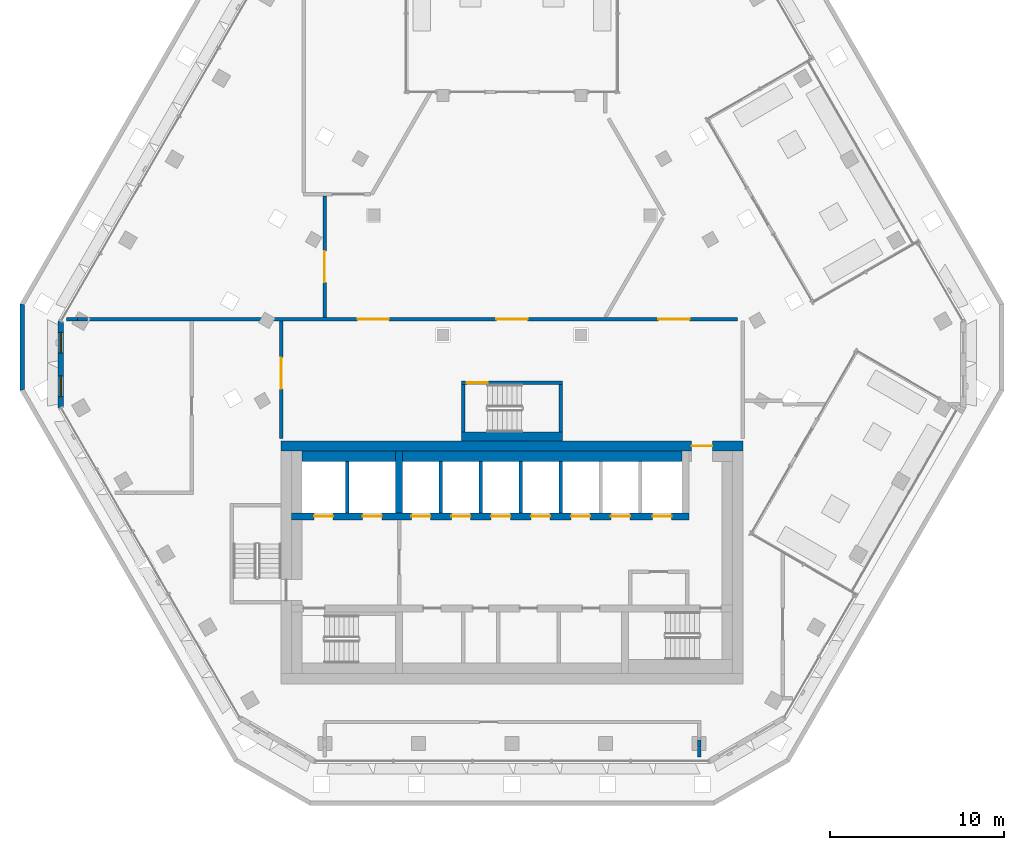
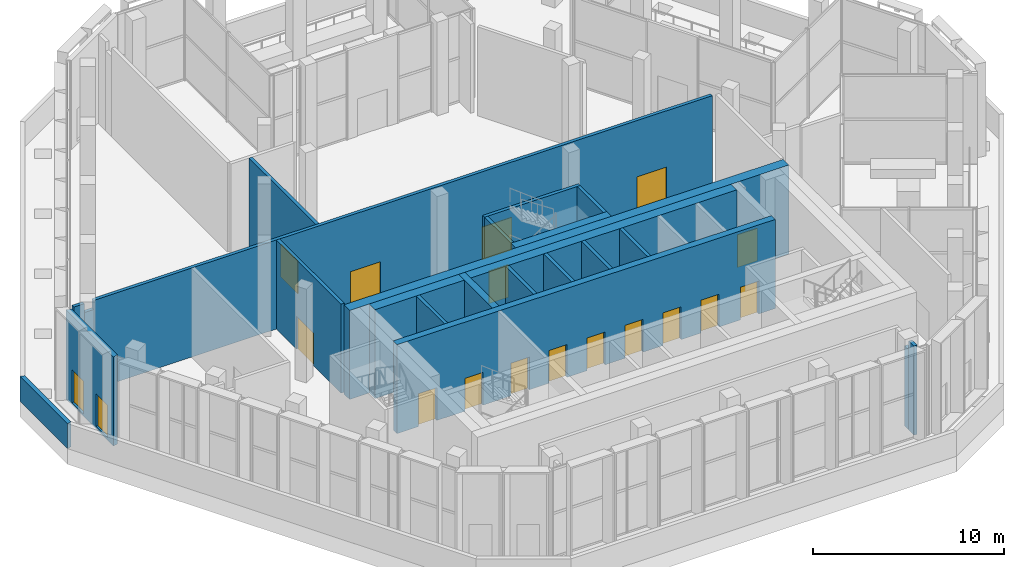
# One storey, part 9 of 23: 23 walls, 16 doors, 2 windows, 18 openings.
"""IFC4 building model written with IfcOpenShell, lengths in metres."""

from ifc_helpers import new_model, si_unit, direction, frame, frame_2d, origin, place, context, subcontext, project, spatial, polyline, rectangle, outline, extrude, material, layer, layer_set, type_object, element, fill, save


model = new_model("IFC4")

# Units and contexts
model_context = context("Model", 3, precision=1e-05, world=origin(), true_north=direction((0.0, 1.0)))
body_context = subcontext(model_context, "Body", "Model", "MODEL_VIEW")
ifc_project = project(units=[si_unit("LENGTHUNIT", "METRE"), si_unit("AREAUNIT", "SQUARE_METRE"), si_unit("VOLUMEUNIT", "CUBIC_METRE"), si_unit("PLANEANGLEUNIT", "RADIAN"), si_unit("MASSUNIT", "GRAM", prefix="KILO")], contexts=[model_context])

# Site, building, storey
site_placement = place(None, origin())
site = spatial("IfcSite", under=ifc_project, at=site_placement, CompositionType="ELEMENT")
building_placement = place(site_placement, origin())
building = spatial("IfcBuilding", under=site, at=building_placement, Name="Beryl Residences", CompositionType="ELEMENT")
storey_placement = place(building_placement, frame((0.0, 0.0, 157.199951171875)))
storey = spatial("IfcBuildingStorey", under=building, at=storey_placement, Name="L48", CompositionType="ELEMENT", Elevation=157.199951171875)

# Wall, openings, windows
ifc_material_1 = material(Name="Composite metal panel with mineral wool insulation")
ifc_layer_1 = layer(ifc_material_1, 0.300048828125)
ifc_layer_set_1 = layer_set([ifc_layer_1], Name="ES1 pale metal composite panel wall 300 mm")
wall_type_1 = type_object("IfcWallType", Name="ES1 pale metal composite panel wall 300 mm", PredefinedType="SOLIDWALL", material=ifc_layer_set_1)
wall_1_placement = place(storey_placement, frame((-26.00390625, 1.89990234375, 0.0), z_axis=(0.0, 0.0, 1.0), x_axis=(0.0, -1.0, 0.0)))
wall_1 = element("IfcWall", 1, at=wall_1_placement, inside=storey, type_object=wall_type_1, Name="ES1 external wall L48 NW-SW", PredefinedType="SOLIDWALL", context=body_context, shape_type="SweptSolid", body=[
    extrude(outline(polyline([(0.0, -0.14990234375), (5.0, -0.14990234375), (4.919677734375, 0.14990234375), (0.080322265625, 0.14990234375), (0.0, -0.14990234375)])), origin(), (0.0, 0.0, 1.0), 5.699951171875),
])
opening_1_placement = place(wall_1_placement, frame((0.64990234375, 0.0, 0.14990234375)))
opening_1 = element("IfcOpeningElement", 2, at=opening_1_placement, cuts=wall_1, Name="Opening W2", PredefinedType="OPENING", context=body_context, shape_type="SweptSolid", body=[
    extrude(rectangle(XDim=1.199951171875, YDim=2.10009765625, at=frame_2d((0.60009765625, 1.050048828125))), frame((0.0, 0.159912109375, 0.0), z_axis=(0.0, -1.0, 0.0), x_axis=(1.0, 0.0, 0.0)), (0.0, 0.0, 1.0), 0.320068359375),
])
opening_2_placement = place(wall_1_placement, frame((3.14990234375, 0.0, 0.14990234375)))
opening_2 = element("IfcOpeningElement", 3, at=opening_2_placement, cuts=wall_1, Name="Opening W2", PredefinedType="OPENING", context=body_context, shape_type="SweptSolid", body=[
    extrude(rectangle(XDim=1.199951171875, YDim=2.10009765625, at=frame_2d((0.60009765625, 1.050048828125))), frame((0.0, 0.159912109375, 0.0), z_axis=(0.0, -1.0, 0.0), x_axis=(1.0, 0.0, 0.0)), (0.0, 0.0, 1.0), 0.320068359375),
])
ifc_material_2 = material(Name="Aluminium and clear glass", Category="aluminium")
window_type = type_object("IfcWindowType", Name="W2 chamfer window 1200 x 2100 mm", PartitioningType="SINGLE_PANEL", PredefinedType="WINDOW", material=ifc_material_2)
window_1_placement = place(opening_1_placement, origin())
window_1 = element("IfcWindow", 4, at=window_1_placement, inside=storey, type_object=window_type, Name="W2 window L48 NW-SW 1", OverallHeight=2.10009765625, OverallWidth=1.199951171875, PartitioningType="SINGLE_PANEL", PredefinedType="WINDOW", context=body_context, shape_type="SweptSolid", body=[
    extrude(rectangle(XDim=1.199951171875, YDim=2.10009765625, at=frame_2d((0.60009765625, 1.050048828125))), frame((0.0, 0.030029296875, 0.0), z_axis=(0.0, -1.0, 0.0), x_axis=(1.0, 0.0, 0.0)), (0.0, 0.0, 1.0), 0.06005859375),
])
fill(opening_1, window_1)
window_2_placement = place(opening_2_placement, origin())
window_2 = element("IfcWindow", 5, at=window_2_placement, inside=storey, type_object=window_type, Name="W2 window L48 NW-SW 2", OverallHeight=2.10009765625, OverallWidth=1.199951171875, PartitioningType="SINGLE_PANEL", PredefinedType="WINDOW", context=body_context, shape_type="SweptSolid", body=[
    extrude(rectangle(XDim=1.199951171875, YDim=2.10009765625, at=frame_2d((0.60009765625, 1.050048828125))), frame((0.0, 0.030029296875, 0.0), z_axis=(0.0, -1.0, 0.0), x_axis=(1.0, 0.0, 0.0)), (0.0, 0.0, 1.0), 0.06005859375),
])
fill(opening_2, window_2)

# Walls
ifc_material_3 = material(Name="Precast concrete C40/50", Category="concrete")
ifc_layer_2 = layer(ifc_material_3, 0.25)
ifc_layer_set_2 = layer_set([ifc_layer_2], Name="PA1 roof parapet 250 mm")
wall_type_2 = type_object("IfcWallType", Name="PA1 roof parapet 250 mm", PredefinedType="PARAPET", material=ifc_layer_set_2)
wall_2_placement = place(storey_placement, frame((-28.222900390625, -2.10009765625, 0.0), z_axis=(0.0, 0.0, 1.0), x_axis=(0.0, 1.0, 0.0)))
element("IfcWall", 6, at=wall_2_placement, inside=storey, type_object=wall_type_2, Name="PA1 parapet L48 strip 9", PredefinedType="PARAPET", context=body_context, shape_type="SweptSolid", body=[
    extrude(outline(polyline([(0.06689453125, -0.125), (4.93310546875, -0.125), (5.0, 0.125), (0.0, 0.125), (0.06689453125, -0.125)])), origin(), (0.0, 0.0, 1.0), 1.60009765625),
])
ifc_material_4 = material(Name="Double stud gypsum board wall")
ifc_layer_3 = layer(ifc_material_4, 0.199951171875)
ifc_layer_set_3 = layer_set([ifc_layer_3], Name="PT4 corridor wall 200 mm double stud")
wall_type_3 = type_object("IfcWallType", Name="PT4 corridor wall 200 mm double stud", PredefinedType="PARTITIONING", material=ifc_layer_set_3)
wall_3_placement = place(storey_placement, frame((-25.657958984375, 2.0, 0.0), z_axis=(0.0, 0.0, 1.0), x_axis=(1.0, 0.0, 0.0)))
element("IfcWall", 7, at=wall_3_placement, inside=storey, type_object=wall_type_3, Name="Wall PT4 L48 009", PredefinedType="PARTITIONING", context=body_context, shape_type="SweptSolid", body=[
    extrude(rectangle(XDim=0.636962890625, YDim=0.199951171875, at=frame_2d((0.318359375, 0.0))), origin(), (0.0, 0.0, 1.0), 5.699951171875),
])
wall_4_placement = place(storey_placement, frame((-25.02099609375, 2.0, 0.0), z_axis=(0.0, 0.0, 1.0), x_axis=(1.0, 0.0, 0.0)))
element("IfcWall", 8, at=wall_4_placement, inside=storey, type_object=wall_type_3, Name="Wall PT4 L48 010", PredefinedType="PARTITIONING", context=body_context, shape_type="SweptSolid", body=[
    extrude(rectangle(XDim=0.570068359375, YDim=0.199951171875, at=frame_2d((0.28515625, 0.0))), origin(), (0.0, 0.0, 1.0), 5.1201171875),
])

# Wall, openings, doors
wall_5_placement = place(storey_placement, frame((-24.450927734375, 2.0, 0.0), z_axis=(0.0, 0.0, 1.0), x_axis=(1.0, 0.0, 0.0)))
wall_5 = element("IfcWall", 9, at=wall_5_placement, inside=storey, type_object=wall_type_3, Name="Wall PT4 L48 011", PredefinedType="PARTITIONING", context=body_context, shape_type="SweptSolid", body=[
    extrude(rectangle(XDim=37.450927734375, YDim=0.199951171875, at=frame_2d((18.7255859375, 0.0))), origin(), (0.0, 0.0, 1.0), 5.699951171875),
])
opening_3_placement = place(wall_5_placement, frame((32.886962890625, 0.0, 0.0)))
opening_3 = element("IfcOpeningElement", 10, at=opening_3_placement, cuts=wall_5, Name="Opening L48-02", PredefinedType="OPENING", context=body_context, shape_type="SweptSolid", body=[
    extrude(rectangle(XDim=1.800048828125, YDim=2.10009765625, at=frame_2d((0.89990234375, 1.050048828125))), frame((0.0, 0.10986328125, 0.0), z_axis=(0.0, -1.0, 0.0), x_axis=(1.0, 0.0, 0.0)), (0.0, 0.0, 1.0), 0.219970703125),
])
opening_4_placement = place(wall_5_placement, frame((23.551025390625, 0.0, 0.0)))
opening_4 = element("IfcOpeningElement", 11, at=opening_4_placement, cuts=wall_5, Name="Opening L48-07", PredefinedType="OPENING", context=body_context, shape_type="SweptSolid", body=[
    extrude(rectangle(XDim=1.800048828125, YDim=2.10009765625, at=frame_2d((0.89990234375, 1.050048828125))), frame((0.0, 0.10986328125, 0.0), z_axis=(0.0, -1.0, 0.0), x_axis=(1.0, 0.0, 0.0)), (0.0, 0.0, 1.0), 0.219970703125),
])
opening_5_placement = place(wall_5_placement, frame((15.552978515625, 0.0, 0.0)))
opening_5 = element("IfcOpeningElement", 12, at=opening_5_placement, cuts=wall_5, Name="Opening L48-09", PredefinedType="OPENING", context=body_context, shape_type="SweptSolid", body=[
    extrude(rectangle(XDim=1.800048828125, YDim=2.10009765625, at=frame_2d((0.89990234375, 1.050048828125))), frame((0.0, 0.10986328125, 0.0), z_axis=(0.0, -1.0, 0.0), x_axis=(1.0, 0.0, 0.0)), (0.0, 0.0, 1.0), 0.219970703125),
])
ifc_material_5 = material(Name="Timber door leaf", Category="wood")
door_type_1 = type_object("IfcDoorType", Name="D20 corridor door 1800 x 2100 mm", OperationType="DOUBLE_DOOR_SINGLE_SWING", PredefinedType="DOOR", material=ifc_material_5)
door_1_placement = place(opening_3_placement, origin())
door_1 = element("IfcDoor", 13, at=door_1_placement, inside=storey, type_object=door_type_1, Name="Door L48-02 L48 001", OperationType="DOUBLE_DOOR_SINGLE_SWING", OverallHeight=2.10009765625, OverallWidth=1.800048828125, PredefinedType="DOOR", context=body_context, shape_type="SweptSolid", body=[
    extrude(rectangle(XDim=1.800048828125, YDim=2.10009765625, at=frame_2d((0.89990234375, 1.050048828125))), frame((0.0, 0.02490234375, 0.0), z_axis=(0.0, -1.0, 0.0), x_axis=(1.0, 0.0, 0.0)), (0.0, 0.0, 1.0), 0.050048828125),
])
fill(opening_3, door_1)
door_2_placement = place(opening_4_placement, origin())
door_2 = element("IfcDoor", 14, at=door_2_placement, inside=storey, type_object=door_type_1, Name="Door L48-07 L48 001", OperationType="DOUBLE_DOOR_SINGLE_SWING", OverallHeight=2.10009765625, OverallWidth=1.800048828125, PredefinedType="DOOR", context=body_context, shape_type="SweptSolid", body=[
    extrude(rectangle(XDim=1.800048828125, YDim=2.10009765625, at=frame_2d((0.89990234375, 1.050048828125))), frame((0.0, 0.02490234375, 0.0), z_axis=(0.0, -1.0, 0.0), x_axis=(1.0, 0.0, 0.0)), (0.0, 0.0, 1.0), 0.050048828125),
])
fill(opening_4, door_2)
door_3_placement = place(opening_5_placement, origin())
door_3 = element("IfcDoor", 15, at=door_3_placement, inside=storey, type_object=door_type_1, Name="Door L48-09 L48 001", OperationType="DOUBLE_DOOR_SINGLE_SWING", OverallHeight=2.10009765625, OverallWidth=1.800048828125, PredefinedType="DOOR", context=body_context, shape_type="SweptSolid", body=[
    extrude(rectangle(XDim=1.800048828125, YDim=2.10009765625, at=frame_2d((0.89990234375, 1.050048828125))), frame((0.0, 0.02490234375, 0.0), z_axis=(0.0, -1.0, 0.0), x_axis=(1.0, 0.0, 0.0)), (0.0, 0.0, 1.0), 0.050048828125),
])
fill(opening_5, door_3)

# Wall, opening, door
wall_6_placement = place(storey_placement, frame((-13.300048828125, -4.8798828125, 0.0), z_axis=(0.0, 0.0, 1.0), x_axis=(0.0, 1.0, 0.0)))
wall_6 = element("IfcWall", 16, at=wall_6_placement, inside=storey, type_object=wall_type_3, Name="Wall PT4 L48 018", PredefinedType="PARTITIONING", context=body_context, shape_type="SweptSolid", body=[
    extrude(rectangle(XDim=6.77978515625, YDim=0.199951171875, at=frame_2d((3.389892578125, 0.0))), origin(), (0.0, 0.0, 1.0), 5.699951171875),
])
opening_6_placement = place(wall_6_placement, frame((2.868896484375, 0.0, 0.0)))
opening_6 = element("IfcOpeningElement", 17, at=opening_6_placement, cuts=wall_6, Name="Opening L48-08", PredefinedType="OPENING", context=body_context, shape_type="SweptSolid", body=[
    extrude(rectangle(XDim=1.800048828125, YDim=2.10009765625, at=frame_2d((0.89990234375, 1.050048828125))), frame((0.0, 0.10986328125, 0.0), z_axis=(0.0, -1.0, 0.0), x_axis=(1.0, 0.0, 0.0)), (0.0, 0.0, 1.0), 0.219970703125),
])
door_4_placement = place(opening_6_placement, origin())
door_4 = element("IfcDoor", 18, at=door_4_placement, inside=storey, type_object=door_type_1, Name="Door L48-08 L48 001", OperationType="DOUBLE_DOOR_SINGLE_SWING", OverallHeight=2.10009765625, OverallWidth=1.800048828125, PredefinedType="DOOR", context=body_context, shape_type="SweptSolid", body=[
    extrude(rectangle(XDim=1.800048828125, YDim=2.10009765625, at=frame_2d((0.89990234375, 1.050048828125))), frame((0.0, 0.02490234375, 0.0), z_axis=(0.0, -1.0, 0.0), x_axis=(1.0, 0.0, 0.0)), (0.0, 0.0, 1.0), 0.050048828125),
])
fill(opening_6, door_4)

wall_7_placement = place(storey_placement, frame((-10.800048828125, 2.10009765625, 0.0), z_axis=(0.0, 0.0, 1.0), x_axis=(0.0, 1.0, 0.0)))
wall_7 = element("IfcWall", 19, at=wall_7_placement, inside=storey, type_object=wall_type_3, Name="Wall PT4 L48 026", PredefinedType="PARTITIONING", context=body_context, shape_type="SweptSolid", body=[
    extrude(rectangle(XDim=7.0, YDim=0.199951171875, at=frame_2d((3.5, 0.0))), origin(), (0.0, 0.0, 1.0), 5.699951171875),
])
opening_7_placement = place(wall_7_placement, frame((2.029052734375, 0.0, 0.0)))
opening_7 = element("IfcOpeningElement", 20, at=opening_7_placement, cuts=wall_7, Name="Opening L48-06", PredefinedType="OPENING", context=body_context, shape_type="SweptSolid", body=[
    extrude(rectangle(XDim=1.800048828125, YDim=2.10009765625, at=frame_2d((0.89990234375, 1.050048828125))), frame((0.0, 0.10986328125, 0.0), z_axis=(0.0, -1.0, 0.0), x_axis=(1.0, 0.0, 0.0)), (0.0, 0.0, 1.0), 0.219970703125),
])
door_5_placement = place(opening_7_placement, origin())
door_5 = element("IfcDoor", 21, at=door_5_placement, inside=storey, type_object=door_type_1, Name="Door L48-06 L48 001", OperationType="DOUBLE_DOOR_SINGLE_SWING", OverallHeight=2.10009765625, OverallWidth=1.800048828125, PredefinedType="DOOR", context=body_context, shape_type="SweptSolid", body=[
    extrude(rectangle(XDim=1.800048828125, YDim=2.10009765625, at=frame_2d((0.89990234375, 1.050048828125))), frame((0.0, 0.02490234375, 0.0), z_axis=(0.0, -1.0, 0.0), x_axis=(1.0, 0.0, 0.0)), (0.0, 0.0, 1.0), 0.050048828125),
])
fill(opening_7, door_5)

# Walls
wall_8_placement = place(storey_placement, frame((10.800048828125, -23.219970703125, 0.0), z_axis=(0.0, 0.0, 1.0), x_axis=(0.0, 1.0, 0.0)))
element("IfcWall", 22, at=wall_8_placement, inside=storey, type_object=wall_type_3, Name="Wall PT4 L48 028", PredefinedType="PARTITIONING", context=body_context, shape_type="SweptSolid", body=[
    extrude(rectangle(XDim=0.544921875, YDim=0.199951171875, at=frame_2d((0.2724609375, 0.0))), origin(), (0.0, 0.0, 1.0), 5.699951171875),
])
wall_9_placement = place(storey_placement, frame((10.800048828125, -22.64501953125, 0.0), z_axis=(0.0, 0.0, 1.0), x_axis=(0.0, 1.0, 0.0)))
element("IfcWall", 23, at=wall_9_placement, inside=storey, type_object=wall_type_3, Name="Wall PT4 L48 029", PredefinedType="PARTITIONING", context=body_context, shape_type="SweptSolid", body=[
    extrude(rectangle(XDim=0.419921875, YDim=0.199951171875, at=frame_2d((0.2099609375, 0.0))), origin(), (0.0, 0.0, 1.0), 5.1201171875),
])

# Wall, opening, door
ifc_material_6 = material(Name="Concrete C40/50", Category="concrete")
ifc_layer_4 = layer(ifc_material_6, 0.199951171875)
ifc_layer_set_4 = layer_set([ifc_layer_4], Name="PT5 stair enclosure wall 200 mm reinforced concrete C40/50")
wall_type_4 = type_object("IfcWallType", Name="PT5 stair enclosure wall 200 mm reinforced concrete C40/50", PredefinedType="SOLIDWALL", material=ifc_layer_set_4)
wall_10_placement = place(storey_placement, frame((-2.89990234375, -1.64990234375, 0.0), z_axis=(0.0, 0.0, 1.0), x_axis=(1.0, 0.0, 0.0)))
wall_10 = element("IfcWall", 24, at=wall_10_placement, inside=storey, type_object=wall_type_4, Name="Wall PT5 L48 001", PredefinedType="SOLIDWALL", context=body_context, shape_type="SweptSolid", body=[
    extrude(rectangle(XDim=5.7998046875, YDim=0.199951171875, at=frame_2d((2.89990234375, 0.0))), origin(), (0.0, 0.0, 1.0), 5.699951171875),
])
opening_8_placement = place(wall_10_placement, frame((0.300048828125, 0.0, 0.0)))
opening_8 = element("IfcOpeningElement", 25, at=opening_8_placement, cuts=wall_10, Name="Opening DS04", PredefinedType="OPENING", context=body_context, shape_type="SweptSolid", body=[
    extrude(rectangle(XDim=1.199951171875, YDim=2.10009765625, at=frame_2d((0.60009765625, 1.050048828125))), frame((0.0, 0.10986328125, 0.0), z_axis=(0.0, -1.0, 0.0), x_axis=(1.0, 0.0, 0.0)), (0.0, 0.0, 1.0), 0.219970703125),
])
ifc_material_7 = material(Name="Steel door leaf in steel frame", Category="steel")
door_type_2 = type_object("IfcDoorType", Name="D4 stair door 1200 x 2100 mm", OperationType="SINGLE_SWING_LEFT", PredefinedType="DOOR", material=ifc_material_7)
door_6_placement = place(opening_8_placement, origin())
door_6 = element("IfcDoor", 26, at=door_6_placement, inside=storey, type_object=door_type_2, Name="Door DS04 L48 001", OperationType="SINGLE_SWING_LEFT", OverallHeight=2.10009765625, OverallWidth=1.199951171875, PredefinedType="DOOR", context=body_context, shape_type="SweptSolid", body=[
    extrude(rectangle(XDim=1.199951171875, YDim=2.10009765625, at=frame_2d((0.60009765625, 1.050048828125))), frame((0.0, 0.02490234375, 0.0), z_axis=(0.0, -1.0, 0.0), x_axis=(1.0, 0.0, 0.0)), (0.0, 0.0, 1.0), 0.050048828125),
])
fill(opening_8, door_6)

# Walls
for number, where, z_axis, x_axis, name in (
    (27, (-2.800048828125, -4.5, 0.0), (0.0, 0.0, 1.0), (0.0, 1.0, 0.0), "Wall PT5 L48 002"),
    (28, (2.800048828125, -4.5, 0.0), (0.0, 0.0, 1.0), (0.0, 1.0, 0.0), "Wall PT5 L48 003"),
):
    element("IfcWall", number, at=place(storey_placement, frame(where, z_axis=z_axis, x_axis=x_axis)), inside=storey, type_object=wall_type_4, Name=name, PredefinedType="SOLIDWALL", context=body_context, shape_type="SweptSolid", body=[
        extrude(rectangle(XDim=2.75, YDim=0.199951171875, at=frame_2d((1.375, 0.0))), origin(), (0.0, 0.0, 1.0), 5.699951171875),
    ])
ifc_material_8 = material(Name="Concrete C40/50", Category="concrete")
ifc_layer_5 = layer(ifc_material_8, 0.5)
ifc_layer_set_5 = layer_set([ifc_layer_5], Name="PT5-500 stair enclosure wall 500 mm")
wall_type_5 = type_object("IfcWallType", Name="PT5-500 stair enclosure wall 500 mm", PredefinedType="SOLIDWALL", material=ifc_layer_set_5)
wall_11_placement = place(storey_placement, frame((-2.89990234375, -4.75, 0.0), z_axis=(0.0, 0.0, 1.0), x_axis=(1.0, 0.0, 0.0)))
element("IfcWall", 29, at=wall_11_placement, inside=storey, type_object=wall_type_5, Name="Wall PT5-500 L48 001", PredefinedType="SOLIDWALL", context=body_context, shape_type="SweptSolid", body=[
    extrude(rectangle(XDim=5.7998046875, YDim=0.5, at=frame_2d((2.89990234375, 0.0))), origin(), (0.0, 0.0, 1.0), 5.699951171875),
])
ifc_material_9 = material(Name="Concrete C40/50", Category="concrete")
ifc_layer_6 = layer(ifc_material_9, 0.199951171875)
ifc_layer_set_6 = layer_set([ifc_layer_6], Name="PT6 lift shaft wall 200 mm reinforced concrete C40/50")
wall_type_6 = type_object("IfcWallType", Name="PT6 lift shaft wall 200 mm reinforced concrete C40/50", PredefinedType="SOLIDWALL", material=ifc_layer_set_6)
for number, where, z_axis, x_axis, name in (
    (30, (-9.5, -9.14990234375, 0.0), (0.0, 0.0, 1.0), (0.0, 1.0, 0.0), "Lift shaft wall 11"),
    (31, (-4.10009765625, -9.14990234375, 0.0), (0.0, 0.0, 1.0), (0.0, 1.0, 0.0), "Lift shaft wall 15"),
    (32, (-1.800048828125, -9.14990234375, 0.0), (0.0, 0.0, 1.0), (0.0, 1.0, 0.0), "Lift shaft wall 17"),
    (33, (0.5, -9.14990234375, 0.0), (0.0, 0.0, 1.0), (0.0, 1.0, 0.0), "Lift shaft wall 19"),
    (34, (2.800048828125, -9.14990234375, 0.0), (0.0, 0.0, 1.0), (0.0, 1.0, 0.0), "Lift shaft wall 21"),
):
    element("IfcWall", number, at=place(storey_placement, frame(where, z_axis=z_axis, x_axis=x_axis)), inside=storey, type_object=wall_type_6, Name=name, PredefinedType="SOLIDWALL", context=body_context, shape_type="SweptSolid", body=[
        extrude(rectangle(XDim=2.949951171875, YDim=0.199951171875, at=frame_2d((1.47509765625, 0.0))), origin(), (0.0, 0.0, 1.0), 5.699951171875),
    ])
ifc_material_10 = material(Name="Concrete C40/50", Category="concrete")
ifc_layer_7 = layer(ifc_material_10, 0.60009765625)
ifc_layer_set_7 = layer_set([ifc_layer_7], Name="PT6-600 lift shaft wall 600 mm")
wall_type_7 = type_object("IfcWallType", Name="PT6-600 lift shaft wall 600 mm", PredefinedType="SOLIDWALL", material=ifc_layer_set_7)
wall_12_placement = place(storey_placement, frame((-12.10009765625, -5.89990234375, 0.0), z_axis=(0.0, 0.0, 1.0), x_axis=(1.0, 0.0, 0.0)))
element("IfcWall", 35, at=wall_12_placement, inside=storey, type_object=wall_type_7, Name="Lift shaft wall 09", PredefinedType="SOLIDWALL", context=body_context, shape_type="SweptSolid", body=[
    extrude(rectangle(XDim=5.400146484375, YDim=0.60009765625, at=frame_2d((2.7001953125, 0.0))), origin(), (0.0, 0.0, 1.0), 5.699951171875),
])
wall_13_placement = place(storey_placement, frame((-6.300048828125, -5.89990234375, 0.0), z_axis=(0.0, 0.0, 1.0), x_axis=(1.0, 0.0, 0.0)))
element("IfcWall", 36, at=wall_13_placement, inside=storey, type_object=wall_type_7, Name="Lift shaft wall 14", PredefinedType="SOLIDWALL", context=body_context, shape_type="SweptSolid", body=[
    extrude(rectangle(XDim=16.10009765625, YDim=0.60009765625, at=frame_2d((8.050048828125, 0.0))), origin(), (0.0, 0.0, 1.0), 5.699951171875),
])

# Wall, opening, door
ifc_material_11 = material(Name="Concrete C50/60", Category="concrete")
ifc_layer_8 = layer(ifc_material_11, 0.60009765625)
ifc_layer_set_8 = layer_set([ifc_layer_8], Name="SW4 core outer wall 600 mm C50/60")
wall_type_8 = type_object("IfcWallType", Name="SW4 core outer wall 600 mm C50/60", PredefinedType="SHEAR", material=ifc_layer_set_8)
wall_14_placement = place(storey_placement, frame((-13.300048828125, -5.300048828125, 0.0), z_axis=(0.0, 0.0, 1.0), x_axis=(1.0, 0.0, 0.0)))
wall_14 = element("IfcWall", 37, at=wall_14_placement, inside=storey, type_object=wall_type_8, Name="Core wall N L48", PredefinedType="SHEAR", context=body_context, shape_type="SweptSolid", body=[
    extrude(rectangle(XDim=26.60009765625, YDim=0.60009765625, at=frame_2d((13.300048828125, 0.0))), origin(), (0.0, 0.0, 1.0), 5.699951171875),
])
opening_9_placement = place(wall_14_placement, frame((23.64990234375, 0.0, 0.0)))
opening_9 = element("IfcOpeningElement", 38, at=opening_9_placement, cuts=wall_14, Name="Opening FD-NORTH", PredefinedType="OPENING", context=body_context, shape_type="SweptSolid", body=[
    extrude(rectangle(XDim=1.199951171875, YDim=2.10009765625, at=frame_2d((0.60009765625, 1.050048828125))), frame((0.0, 0.31005859375, 0.0), z_axis=(0.0, -1.0, 0.0), x_axis=(1.0, 0.0, 0.0)), (0.0, 0.0, 1.0), 0.6201171875),
])
ifc_material_12 = material(Name="Steel door leaf in steel frame", Category="steel")
door_type_3 = type_object("IfcDoorType", Name="D22 lobby door 1200 x 2100 mm", OperationType="DOUBLE_DOOR_SINGLE_SWING", PredefinedType="DOOR", material=ifc_material_12)
door_7_placement = place(opening_9_placement, origin())
door_7 = element("IfcDoor", 39, at=door_7_placement, inside=storey, type_object=door_type_3, Name="Door FD-NORTH L48 001", OperationType="DOUBLE_DOOR_SINGLE_SWING", OverallHeight=2.10009765625, OverallWidth=1.199951171875, PredefinedType="DOOR", context=body_context, shape_type="SweptSolid", body=[
    extrude(rectangle(XDim=1.199951171875, YDim=2.10009765625, at=frame_2d((0.60009765625, 1.050048828125))), frame((0.0, 0.02490234375, 0.0), z_axis=(0.0, -1.0, 0.0), x_axis=(1.0, 0.0, 0.0)), (0.0, 0.0, 1.0), 0.050048828125),
])
fill(opening_9, door_7)

# Wall, openings, doors
ifc_material_13 = material(Name="Concrete C50/60", Category="concrete")
ifc_layer_9 = layer(ifc_material_13, 0.39990234375)
ifc_layer_set_9 = layer_set([ifc_layer_9], Name="SW9 core internal wall 400 mm C50/60")
wall_type_9 = type_object("IfcWallType", Name="SW9 core internal wall 400 mm C50/60", PredefinedType="SHEAR", material=ifc_layer_set_9)
wall_15_placement = place(storey_placement, frame((-12.699951171875, -9.35009765625, 0.0), z_axis=(0.0, 0.0, 1.0), x_axis=(1.0, 0.0, 0.0)))
wall_15 = element("IfcWall", 40, at=wall_15_placement, inside=storey, type_object=wall_type_9, Name="Core wall SP2 L48", PredefinedType="SHEAR", context=body_context, shape_type="SweptSolid", body=[
    extrude(rectangle(XDim=22.89990234375, YDim=0.39990234375, at=frame_2d((11.449951171875, 0.0))), origin(), (0.0, 0.0, 1.0), 5.699951171875),
])
opening_10_placement = place(wall_15_placement, frame((1.300048828125, 0.0, 0.0)))
opening_10 = element("IfcOpeningElement", 41, at=opening_10_placement, cuts=wall_15, Name="Opening LD-FF1", PredefinedType="OPENING", context=body_context, shape_type="SweptSolid", body=[
    extrude(rectangle(XDim=1.10009765625, YDim=2.10009765625, at=frame_2d((0.550048828125, 1.050048828125))), frame((0.0, 0.2099609375, 0.0), z_axis=(0.0, -1.0, 0.0), x_axis=(1.0, 0.0, 0.0)), (0.0, 0.0, 1.0), 0.419921875),
])
opening_11_placement = place(wall_15_placement, frame((4.10009765625, 0.0, 0.0)))
opening_11 = element("IfcOpeningElement", 42, at=opening_11_placement, cuts=wall_15, Name="Opening LD-FF2", PredefinedType="OPENING", context=body_context, shape_type="SweptSolid", body=[
    extrude(rectangle(XDim=1.10009765625, YDim=2.10009765625, at=frame_2d((0.550048828125, 1.050048828125))), frame((0.0, 0.2099609375, 0.0), z_axis=(0.0, -1.0, 0.0), x_axis=(1.0, 0.0, 0.0)), (0.0, 0.0, 1.0), 0.419921875),
])
opening_12_placement = place(wall_15_placement, frame((6.89990234375, 0.0, 0.0)))
opening_12 = element("IfcOpeningElement", 43, at=opening_12_placement, cuts=wall_15, Name="Opening LD-HR1", PredefinedType="OPENING", context=body_context, shape_type="SweptSolid", body=[
    extrude(rectangle(XDim=1.10009765625, YDim=2.10009765625, at=frame_2d((0.550048828125, 1.050048828125))), frame((0.0, 0.2099609375, 0.0), z_axis=(0.0, -1.0, 0.0), x_axis=(1.0, 0.0, 0.0)), (0.0, 0.0, 1.0), 0.419921875),
])
opening_13_placement = place(wall_15_placement, frame((9.199951171875, 0.0, 0.0)))
opening_13 = element("IfcOpeningElement", 44, at=opening_13_placement, cuts=wall_15, Name="Opening LD-HR2", PredefinedType="OPENING", context=body_context, shape_type="SweptSolid", body=[
    extrude(rectangle(XDim=1.10009765625, YDim=2.10009765625, at=frame_2d((0.550048828125, 1.050048828125))), frame((0.0, 0.2099609375, 0.0), z_axis=(0.0, -1.0, 0.0), x_axis=(1.0, 0.0, 0.0)), (0.0, 0.0, 1.0), 0.419921875),
])
opening_14_placement = place(wall_15_placement, frame((11.5, 0.0, 0.0)))
opening_14 = element("IfcOpeningElement", 45, at=opening_14_placement, cuts=wall_15, Name="Opening LD-HR3", PredefinedType="OPENING", context=body_context, shape_type="SweptSolid", body=[
    extrude(rectangle(XDim=1.10009765625, YDim=2.10009765625, at=frame_2d((0.550048828125, 1.050048828125))), frame((0.0, 0.2099609375, 0.0), z_axis=(0.0, -1.0, 0.0), x_axis=(1.0, 0.0, 0.0)), (0.0, 0.0, 1.0), 0.419921875),
])
opening_15_placement = place(wall_15_placement, frame((13.800048828125, 0.0, 0.0)))
opening_15 = element("IfcOpeningElement", 46, at=opening_15_placement, cuts=wall_15, Name="Opening LD-HR4", PredefinedType="OPENING", context=body_context, shape_type="SweptSolid", body=[
    extrude(rectangle(XDim=1.10009765625, YDim=2.10009765625, at=frame_2d((0.550048828125, 1.050048828125))), frame((0.0, 0.2099609375, 0.0), z_axis=(0.0, -1.0, 0.0), x_axis=(1.0, 0.0, 0.0)), (0.0, 0.0, 1.0), 0.419921875),
])
opening_16_placement = place(wall_15_placement, frame((16.10009765625, 0.0, 0.0)))
opening_16 = element("IfcOpeningElement", 47, at=opening_16_placement, cuts=wall_15, Name="Opening LD-HR5", PredefinedType="OPENING", context=body_context, shape_type="SweptSolid", body=[
    extrude(rectangle(XDim=1.10009765625, YDim=2.10009765625, at=frame_2d((0.550048828125, 1.050048828125))), frame((0.0, 0.2099609375, 0.0), z_axis=(0.0, -1.0, 0.0), x_axis=(1.0, 0.0, 0.0)), (0.0, 0.0, 1.0), 0.419921875),
])
opening_17_placement = place(wall_15_placement, frame((18.39990234375, 0.0, 0.0)))
opening_17 = element("IfcOpeningElement", 48, at=opening_17_placement, cuts=wall_15, Name="Opening LD-HR6", PredefinedType="OPENING", context=body_context, shape_type="SweptSolid", body=[
    extrude(rectangle(XDim=1.10009765625, YDim=2.10009765625, at=frame_2d((0.550048828125, 1.050048828125))), frame((0.0, 0.2099609375, 0.0), z_axis=(0.0, -1.0, 0.0), x_axis=(1.0, 0.0, 0.0)), (0.0, 0.0, 1.0), 0.419921875),
])
opening_18_placement = place(wall_15_placement, frame((20.800048828125, 0.0, 0.0)))
opening_18 = element("IfcOpeningElement", 49, at=opening_18_placement, cuts=wall_15, Name="Opening LD-SL1", PredefinedType="OPENING", context=body_context, shape_type="SweptSolid", body=[
    extrude(rectangle(XDim=1.10009765625, YDim=2.10009765625, at=frame_2d((0.550048828125, 1.050048828125))), frame((0.0, 0.2099609375, 0.0), z_axis=(0.0, -1.0, 0.0), x_axis=(1.0, 0.0, 0.0)), (0.0, 0.0, 1.0), 0.419921875),
])
ifc_material_14 = material(Name="Stainless steel sliding door", Category="steel")
door_type_4 = type_object("IfcDoorType", Name="LD1 lift landing door 1100 x 2100 mm", OperationType="DOUBLE_DOOR_SLIDING", PredefinedType="DOOR", material=ifc_material_14)
door_8_placement = place(opening_10_placement, origin())
door_8 = element("IfcDoor", 50, at=door_8_placement, inside=storey, type_object=door_type_4, Name="Lift landing door FF1", OperationType="DOUBLE_DOOR_SLIDING", OverallHeight=2.10009765625, OverallWidth=1.10009765625, PredefinedType="DOOR", context=body_context, shape_type="SweptSolid", body=[
    extrude(rectangle(XDim=1.10009765625, YDim=2.10009765625, at=frame_2d((0.550048828125, 1.050048828125))), frame((0.0, 0.02490234375, 0.0), z_axis=(0.0, -1.0, 0.0), x_axis=(1.0, 0.0, 0.0)), (0.0, 0.0, 1.0), 0.050048828125),
])
fill(opening_10, door_8)
door_9_placement = place(opening_11_placement, origin())
door_9 = element("IfcDoor", 51, at=door_9_placement, inside=storey, type_object=door_type_4, Name="Lift landing door FF2", OperationType="DOUBLE_DOOR_SLIDING", OverallHeight=2.10009765625, OverallWidth=1.10009765625, PredefinedType="DOOR", context=body_context, shape_type="SweptSolid", body=[
    extrude(rectangle(XDim=1.10009765625, YDim=2.10009765625, at=frame_2d((0.550048828125, 1.050048828125))), frame((0.0, 0.02490234375, 0.0), z_axis=(0.0, -1.0, 0.0), x_axis=(1.0, 0.0, 0.0)), (0.0, 0.0, 1.0), 0.050048828125),
])
fill(opening_11, door_9)
door_10_placement = place(opening_12_placement, origin())
door_10 = element("IfcDoor", 52, at=door_10_placement, inside=storey, type_object=door_type_4, Name="Lift landing door HR1", OperationType="DOUBLE_DOOR_SLIDING", OverallHeight=2.10009765625, OverallWidth=1.10009765625, PredefinedType="DOOR", context=body_context, shape_type="SweptSolid", body=[
    extrude(rectangle(XDim=1.10009765625, YDim=2.10009765625, at=frame_2d((0.550048828125, 1.050048828125))), frame((0.0, 0.02490234375, 0.0), z_axis=(0.0, -1.0, 0.0), x_axis=(1.0, 0.0, 0.0)), (0.0, 0.0, 1.0), 0.050048828125),
])
fill(opening_12, door_10)
door_11_placement = place(opening_13_placement, origin())
door_11 = element("IfcDoor", 53, at=door_11_placement, inside=storey, type_object=door_type_4, Name="Lift landing door HR2", OperationType="DOUBLE_DOOR_SLIDING", OverallHeight=2.10009765625, OverallWidth=1.10009765625, PredefinedType="DOOR", context=body_context, shape_type="SweptSolid", body=[
    extrude(rectangle(XDim=1.10009765625, YDim=2.10009765625, at=frame_2d((0.550048828125, 1.050048828125))), frame((0.0, 0.02490234375, 0.0), z_axis=(0.0, -1.0, 0.0), x_axis=(1.0, 0.0, 0.0)), (0.0, 0.0, 1.0), 0.050048828125),
])
fill(opening_13, door_11)
door_12_placement = place(opening_14_placement, origin())
door_12 = element("IfcDoor", 54, at=door_12_placement, inside=storey, type_object=door_type_4, Name="Lift landing door HR3", OperationType="DOUBLE_DOOR_SLIDING", OverallHeight=2.10009765625, OverallWidth=1.10009765625, PredefinedType="DOOR", context=body_context, shape_type="SweptSolid", body=[
    extrude(rectangle(XDim=1.10009765625, YDim=2.10009765625, at=frame_2d((0.550048828125, 1.050048828125))), frame((0.0, 0.02490234375, 0.0), z_axis=(0.0, -1.0, 0.0), x_axis=(1.0, 0.0, 0.0)), (0.0, 0.0, 1.0), 0.050048828125),
])
fill(opening_14, door_12)
door_13_placement = place(opening_15_placement, origin())
door_13 = element("IfcDoor", 55, at=door_13_placement, inside=storey, type_object=door_type_4, Name="Lift landing door HR4", OperationType="DOUBLE_DOOR_SLIDING", OverallHeight=2.10009765625, OverallWidth=1.10009765625, PredefinedType="DOOR", context=body_context, shape_type="SweptSolid", body=[
    extrude(rectangle(XDim=1.10009765625, YDim=2.10009765625, at=frame_2d((0.550048828125, 1.050048828125))), frame((0.0, 0.02490234375, 0.0), z_axis=(0.0, -1.0, 0.0), x_axis=(1.0, 0.0, 0.0)), (0.0, 0.0, 1.0), 0.050048828125),
])
fill(opening_15, door_13)
door_14_placement = place(opening_16_placement, origin())
door_14 = element("IfcDoor", 56, at=door_14_placement, inside=storey, type_object=door_type_4, Name="Lift landing door HR5", OperationType="DOUBLE_DOOR_SLIDING", OverallHeight=2.10009765625, OverallWidth=1.10009765625, PredefinedType="DOOR", context=body_context, shape_type="SweptSolid", body=[
    extrude(rectangle(XDim=1.10009765625, YDim=2.10009765625, at=frame_2d((0.550048828125, 1.050048828125))), frame((0.0, 0.02490234375, 0.0), z_axis=(0.0, -1.0, 0.0), x_axis=(1.0, 0.0, 0.0)), (0.0, 0.0, 1.0), 0.050048828125),
])
fill(opening_16, door_14)
door_15_placement = place(opening_17_placement, origin())
door_15 = element("IfcDoor", 57, at=door_15_placement, inside=storey, type_object=door_type_4, Name="Lift landing door HR6", OperationType="DOUBLE_DOOR_SLIDING", OverallHeight=2.10009765625, OverallWidth=1.10009765625, PredefinedType="DOOR", context=body_context, shape_type="SweptSolid", body=[
    extrude(rectangle(XDim=1.10009765625, YDim=2.10009765625, at=frame_2d((0.550048828125, 1.050048828125))), frame((0.0, 0.02490234375, 0.0), z_axis=(0.0, -1.0, 0.0), x_axis=(1.0, 0.0, 0.0)), (0.0, 0.0, 1.0), 0.050048828125),
])
fill(opening_17, door_15)
door_16_placement = place(opening_18_placement, origin())
door_16 = element("IfcDoor", 58, at=door_16_placement, inside=storey, type_object=door_type_4, Name="Lift landing door SL1", OperationType="DOUBLE_DOOR_SLIDING", OverallHeight=2.10009765625, OverallWidth=1.10009765625, PredefinedType="DOOR", context=body_context, shape_type="SweptSolid", body=[
    extrude(rectangle(XDim=1.10009765625, YDim=2.10009765625, at=frame_2d((0.550048828125, 1.050048828125))), frame((0.0, 0.02490234375, 0.0), z_axis=(0.0, -1.0, 0.0), x_axis=(1.0, 0.0, 0.0)), (0.0, 0.0, 1.0), 0.050048828125),
])
fill(opening_18, door_16)

# Wall
wall_16_placement = place(storey_placement, frame((-6.5, -9.14990234375, 0.0), z_axis=(0.0, 0.0, 1.0), x_axis=(0.0, 1.0, 0.0)))
element("IfcWall", 59, at=wall_16_placement, inside=storey, type_object=wall_type_9, Name="Core wall XN1 L48", PredefinedType="SHEAR", context=body_context, shape_type="SweptSolid", body=[
    extrude(rectangle(XDim=3.5498046875, YDim=0.39990234375, at=frame_2d((1.77490234375, 0.0))), origin(), (0.0, 0.0, 1.0), 5.699951171875),
])

save(model, "model.ifc")
